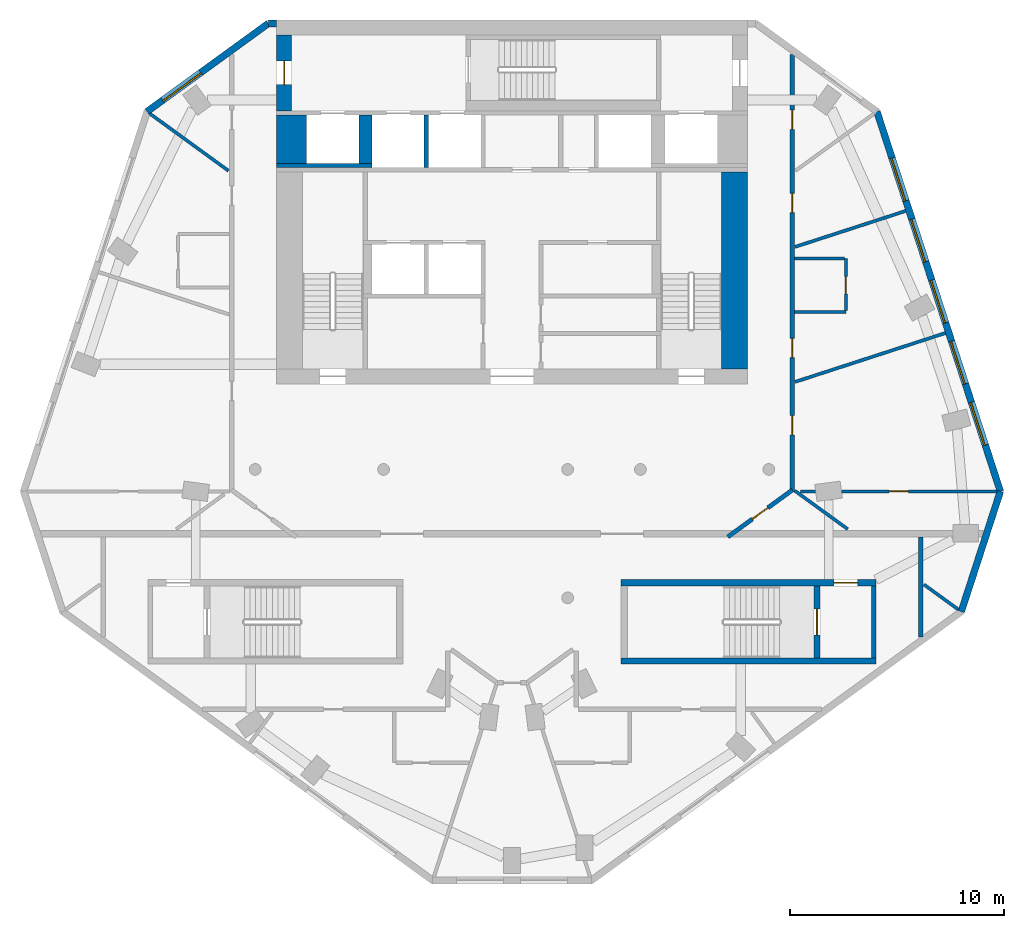
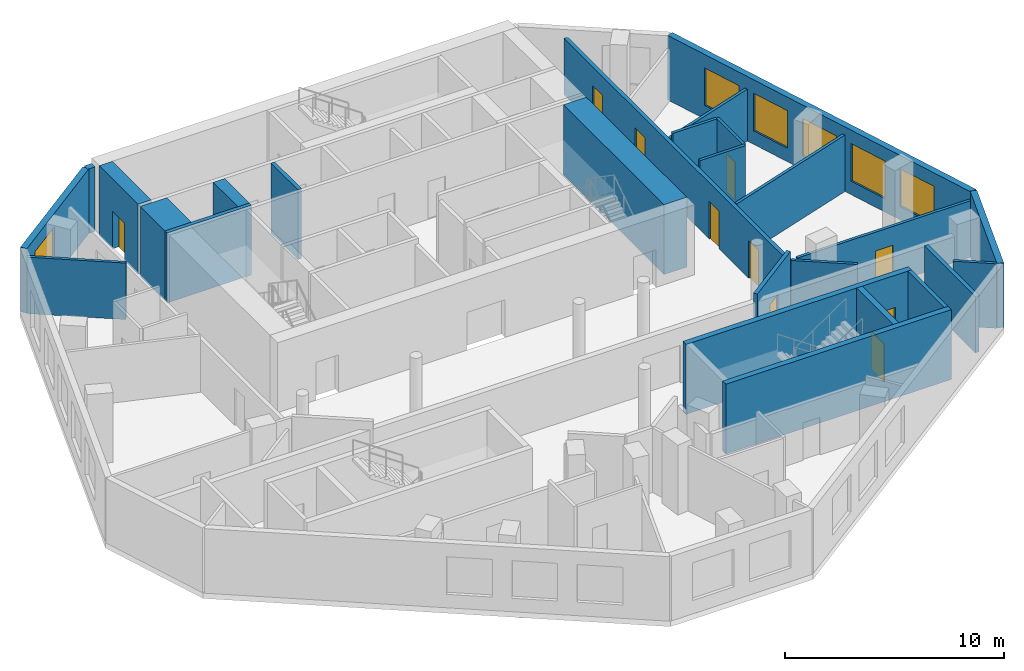
# One storey, part 4 of 8: 26 walls, 10 doors, 6 windows, 16 openings.
"""IFC4 building model written with IfcOpenShell, lengths in metres."""

from ifc_helpers import new_model, si_unit, direction, frame, frame_2d, origin, place, context, subcontext, project, spatial, rectangle, extrude, material, layer, layer_set, type_object, element, fill, save


model = new_model("IFC4")

# Units and contexts
model_context = context("Model", 3, precision=1e-05, world=origin(), true_north=direction((0.0, 1.0)))
body_context = subcontext(model_context, "Body", "Model", "MODEL_VIEW")
ifc_project = project(units=[si_unit("LENGTHUNIT", "METRE"), si_unit("AREAUNIT", "SQUARE_METRE"), si_unit("VOLUMEUNIT", "CUBIC_METRE"), si_unit("PLANEANGLEUNIT", "RADIAN"), si_unit("MASSUNIT", "GRAM", prefix="KILO")], contexts=[model_context])

# Site, building, storey
site_placement = place(None, origin())
site = spatial("IfcSite", under=ifc_project, at=site_placement, CompositionType="ELEMENT")
building_placement = place(site_placement, origin())
building = spatial("IfcBuilding", under=site, at=building_placement, Name="White Candle Pilgrim Tower", CompositionType="ELEMENT")
storey_placement = place(building_placement, frame((0.0, 0.0, 291.199951171875)))
storey = spatial("IfcBuildingStorey", under=building, at=storey_placement, Name="L69", CompositionType="ELEMENT", Elevation=291.199951171875)

# Walls
ifc_material_1 = material(Name="Concrete C50/60", Category="concrete")
ifc_layer_1 = layer(ifc_material_1, 1.39990234375)
ifc_layer_set_1 = layer_set([ifc_layer_1], Name="Core wall 1400 mm Concrete C50/60")
wall_type_1 = type_object("IfcWallType", Name="Core wall 1400 mm Concrete C50/60", PredefinedType="SHEAR", material=ifc_layer_set_1)
wall_1_placement = place(storey_placement, frame((59.699951171875, 81.300048828125, 0.0), z_axis=(0.0, 0.0, 1.0), x_axis=(0.0, 1.0, 0.0)))
element("IfcWall", 1, at=wall_1_placement, inside=storey, type_object=wall_type_1, Name="WL-L69-C39", PredefinedType="SHEAR", context=body_context, shape_type="SweptSolid", body=[
    extrude(rectangle(XDim=2.25, YDim=1.39990234375, at=frame_2d((1.125, 0.0))), origin(), (0.0, 0.0, 1.0), 3.900146484375),
])
ifc_layer_2 = layer(ifc_material_1, 0.199951171875)
ifc_layer_set_2 = layer_set([ifc_layer_2], Name="Core wall 200 mm Concrete C50/60")
wall_type_2 = type_object("IfcWallType", Name="Core wall 200 mm Concrete C50/60", PredefinedType="SHEAR", material=ifc_layer_set_2)
wall_2_placement = place(storey_placement, frame((86.89990234375, 58.199951171875, 0.0), z_axis=(0.0, 0.0, 1.0), x_axis=(0.0, 1.0, 0.0)))
element("IfcWall", 2, at=wall_2_placement, inside=storey, type_object=wall_type_2, Name="WL-L69-C08", PredefinedType="SHEAR", context=body_context, shape_type="SweptSolid", body=[
    extrude(rectangle(XDim=3.35009765625, YDim=0.199951171875, at=frame_2d((1.675048828125, 0.0))), origin(), (0.0, 0.0, 1.0), 3.900146484375),
])
wall_3_placement = place(storey_placement, frame((59.0, 81.199951171875, 0.0), z_axis=(0.0, 0.0, 1.0), x_axis=(1.0, 0.0, 0.0)))
element("IfcWall", 3, at=wall_3_placement, inside=storey, type_object=wall_type_2, Name="WL-L69-C33", PredefinedType="SHEAR", context=body_context, shape_type="SweptSolid", body=[
    extrude(rectangle(XDim=4.449951171875, YDim=0.199951171875, at=frame_2d((2.22509765625, 0.0))), origin(), (0.0, 0.0, 1.0), 3.900146484375),
])

# Wall, opening, door
ifc_layer_3 = layer(ifc_material_1, 0.699951171875)
ifc_layer_set_3 = layer_set([ifc_layer_3], Name="Core wall 700 mm Concrete C50/60")
wall_type_3 = type_object("IfcWallType", Name="Core wall 700 mm Concrete C50/60", PredefinedType="SHEAR", material=ifc_layer_set_3)
wall_4_placement = place(storey_placement, frame((59.35009765625, 83.75, 0.0), z_axis=(0.0, 0.0, 1.0), x_axis=(0.0, 1.0, 0.0)))
wall_4 = element("IfcWall", 4, at=wall_4_placement, inside=storey, type_object=wall_type_3, Name="WL-L69-C44", PredefinedType="SHEAR", context=body_context, shape_type="SweptSolid", body=[
    extrude(rectangle(XDim=3.550048828125, YDim=0.699951171875, at=frame_2d((1.77490234375, 0.0))), origin(), (0.0, 0.0, 1.0), 3.900146484375),
])
opening_1_placement = place(wall_4_placement, frame((1.22509765625, 0.0, 0.0)))
opening_1 = element("IfcOpeningElement", 5, at=opening_1_placement, cuts=wall_4, Name="Opening T21-008", PredefinedType="OPENING", context=body_context, shape_type="SweptSolid", body=[
    extrude(rectangle(XDim=1.10009765625, YDim=2.10009765625, at=frame_2d((0.550048828125, 1.050048828125))), frame((0.0, 0.35986328125, 0.0), z_axis=(0.0, -1.0, 0.0), x_axis=(1.0, 0.0, 0.0)), (0.0, 0.0, 1.0), 0.719970703125),
])
ifc_material_2 = material(Name="Steel door leaf", Category="steel")
door_type_1 = type_object("IfcDoorType", Name="Fire door 1100 x 2100 EI 60", OperationType="NOTDEFINED", PredefinedType="DOOR", material=ifc_material_2)
door_1_placement = place(opening_1_placement, origin())
door_1 = element("IfcDoor", 6, at=door_1_placement, inside=storey, type_object=door_type_1, Name="Door T21-008", OperationType="SINGLE_SWING_RIGHT", OverallHeight=2.10009765625, OverallWidth=1.10009765625, PredefinedType="DOOR", context=body_context, shape_type="SweptSolid", body=[
    extrude(rectangle(XDim=1.10009765625, YDim=2.10009765625, at=frame_2d((0.550048828125, 1.050048828125))), frame((0.0, 0.02490234375, 0.0), z_axis=(0.0, -1.0, 0.0), x_axis=(1.0, 0.0, 0.0)), (0.0, 0.0, 1.0), 0.050048828125),
])
fill(opening_1, door_1)

# Wall, openings, doors
ifc_material_3 = material(Name="Gypsum board on steel studs", Category="steel")
ifc_layer_4 = layer(ifc_material_3, 0.199951171875)
ifc_layer_set_4 = layer_set([ifc_layer_4], Name="Corridor wall 200 mm EI 45")
wall_type_4 = type_object("IfcWallType", Name="Corridor wall 200 mm EI 45", PredefinedType="PARTITIONING", material=ifc_layer_set_4)
wall_5_placement = place(storey_placement, frame((83.10009765625, 86.396240234375, 0.0), z_axis=(0.0, 0.0, 1.0), x_axis=(0.0, -1.0, 0.0)))
wall_5 = element("IfcWall", 7, at=wall_5_placement, inside=storey, type_object=wall_type_4, Name="WL-L69-P005", PredefinedType="PARTITIONING", context=body_context, shape_type="SweptSolid", body=[
    extrude(rectangle(XDim=20.416259765625, YDim=0.199951171875, at=frame_2d((10.2080078125, 0.0))), origin(), (0.0, 0.0, 1.0), 3.150146484375),
])
opening_2_placement = place(wall_5_placement, frame((2.6123046875, 0.0, 0.0)))
opening_2 = element("IfcOpeningElement", 8, at=opening_2_placement, cuts=wall_5, Name="Opening T21-113", PredefinedType="OPENING", context=body_context, shape_type="SweptSolid", body=[
    extrude(rectangle(XDim=0.89990234375, YDim=2.10009765625, at=frame_2d((0.449951171875, 1.050048828125))), frame((0.0, 0.10986328125, 0.0), z_axis=(0.0, -1.0, 0.0), x_axis=(1.0, 0.0, 0.0)), (0.0, 0.0, 1.0), 0.219970703125),
])
opening_3_placement = place(wall_5_placement, frame((6.49365234375, 0.0, 0.0)))
opening_3 = element("IfcOpeningElement", 9, at=opening_3_placement, cuts=wall_5, Name="Opening T21-114", PredefinedType="OPENING", context=body_context, shape_type="SweptSolid", body=[
    extrude(rectangle(XDim=0.89990234375, YDim=2.10009765625, at=frame_2d((0.449951171875, 1.050048828125))), frame((0.0, 0.10986328125, 0.0), z_axis=(0.0, -1.0, 0.0), x_axis=(1.0, 0.0, 0.0)), (0.0, 0.0, 1.0), 0.219970703125),
])
opening_4_placement = place(wall_5_placement, frame((13.270263671875, 0.0, 0.0)))
opening_4 = element("IfcOpeningElement", 10, at=opening_4_placement, cuts=wall_5, Name="Opening T21-115", PredefinedType="OPENING", context=body_context, shape_type="SweptSolid", body=[
    extrude(rectangle(XDim=0.89990234375, YDim=2.10009765625, at=frame_2d((0.449951171875, 1.050048828125))), frame((0.0, 0.10986328125, 0.0), z_axis=(0.0, -1.0, 0.0), x_axis=(1.0, 0.0, 0.0)), (0.0, 0.0, 1.0), 0.219970703125),
])
opening_5_placement = place(wall_5_placement, frame((16.877197265625, 0.0, 0.0)))
opening_5 = element("IfcOpeningElement", 11, at=opening_5_placement, cuts=wall_5, Name="Opening T21-116", PredefinedType="OPENING", context=body_context, shape_type="SweptSolid", body=[
    extrude(rectangle(XDim=0.89990234375, YDim=2.10009765625, at=frame_2d((0.449951171875, 1.050048828125))), frame((0.0, 0.10986328125, 0.0), z_axis=(0.0, -1.0, 0.0), x_axis=(1.0, 0.0, 0.0)), (0.0, 0.0, 1.0), 0.219970703125),
])
door_type_2 = type_object("IfcDoorType", Name="Fire door 900 x 2100 EI 30", OperationType="NOTDEFINED", PredefinedType="DOOR", material=ifc_material_2)
door_2_placement = place(opening_2_placement, origin())
door_2 = element("IfcDoor", 12, at=door_2_placement, inside=storey, type_object=door_type_2, Name="Door T21-113", OperationType="SINGLE_SWING_LEFT", OverallHeight=2.10009765625, OverallWidth=0.89990234375, PredefinedType="DOOR", context=body_context, shape_type="SweptSolid", body=[
    extrude(rectangle(XDim=0.89990234375, YDim=2.10009765625, at=frame_2d((0.449951171875, 1.050048828125))), frame((0.0, 0.02490234375, 0.0), z_axis=(0.0, -1.0, 0.0), x_axis=(1.0, 0.0, 0.0)), (0.0, 0.0, 1.0), 0.050048828125),
])
fill(opening_2, door_2)
door_3_placement = place(opening_3_placement, origin())
door_3 = element("IfcDoor", 13, at=door_3_placement, inside=storey, type_object=door_type_2, Name="Door T21-114", OperationType="SINGLE_SWING_RIGHT", OverallHeight=2.10009765625, OverallWidth=0.89990234375, PredefinedType="DOOR", context=body_context, shape_type="SweptSolid", body=[
    extrude(rectangle(XDim=0.89990234375, YDim=2.10009765625, at=frame_2d((0.449951171875, 1.050048828125))), frame((0.0, 0.02490234375, 0.0), z_axis=(0.0, -1.0, 0.0), x_axis=(1.0, 0.0, 0.0)), (0.0, 0.0, 1.0), 0.050048828125),
])
fill(opening_3, door_3)
door_4_placement = place(opening_4_placement, origin())
door_4 = element("IfcDoor", 14, at=door_4_placement, inside=storey, type_object=door_type_2, Name="Door T21-115", OperationType="SINGLE_SWING_LEFT", OverallHeight=2.10009765625, OverallWidth=0.89990234375, PredefinedType="DOOR", context=body_context, shape_type="SweptSolid", body=[
    extrude(rectangle(XDim=0.89990234375, YDim=2.10009765625, at=frame_2d((0.449951171875, 1.050048828125))), frame((0.0, 0.02490234375, 0.0), z_axis=(0.0, -1.0, 0.0), x_axis=(1.0, 0.0, 0.0)), (0.0, 0.0, 1.0), 0.050048828125),
])
fill(opening_4, door_4)
door_5_placement = place(opening_5_placement, origin())
door_5 = element("IfcDoor", 15, at=door_5_placement, inside=storey, type_object=door_type_2, Name="Door T21-116", OperationType="SINGLE_SWING_RIGHT", OverallHeight=2.10009765625, OverallWidth=0.89990234375, PredefinedType="DOOR", context=body_context, shape_type="SweptSolid", body=[
    extrude(rectangle(XDim=0.89990234375, YDim=2.10009765625, at=frame_2d((0.449951171875, 1.050048828125))), frame((0.0, 0.02490234375, 0.0), z_axis=(0.0, -1.0, 0.0), x_axis=(1.0, 0.0, 0.0)), (0.0, 0.0, 1.0), 0.050048828125),
])
fill(opening_5, door_5)

# Wall, opening, door
wall_6_placement = place(storey_placement, frame((83.10009765625, 66.041015625, 0.0), z_axis=(0.0, 0.0, 1.0), x_axis=(-0.809024883744, -0.587774393355, 0.0)))
wall_6 = element("IfcWall", 16, at=wall_6_placement, inside=storey, type_object=wall_type_4, Name="WL-L69-P006", PredefinedType="PARTITIONING", context=body_context, shape_type="SweptSolid", body=[
    extrude(rectangle(XDim=3.7275390625, YDim=0.199951171875, at=frame_2d((1.86376953125, 0.0))), origin(), (0.0, 0.0, 1.0), 3.60009765625),
])
opening_6_placement = place(wall_6_placement, frame((1.413818359375, 0.0, 0.0)))
opening_6 = element("IfcOpeningElement", 17, at=opening_6_placement, cuts=wall_6, Name="Opening T21-119", PredefinedType="OPENING", context=body_context, shape_type="SweptSolid", body=[
    extrude(rectangle(XDim=0.89990234375, YDim=2.10009765625, at=frame_2d((0.449951171875, 1.050048828125))), frame((0.0, 0.10986328125, 0.0), z_axis=(0.0, -1.0, 0.0), x_axis=(1.0, 0.0, 0.0)), (0.0, 0.0, 1.0), 0.219970703125),
])
door_6_placement = place(opening_6_placement, origin())
door_6 = element("IfcDoor", 18, at=door_6_placement, inside=storey, type_object=door_type_2, Name="Door T21-119", OperationType="SINGLE_SWING_LEFT", OverallHeight=2.10009765625, OverallWidth=0.89990234375, PredefinedType="DOOR", context=body_context, shape_type="SweptSolid", body=[
    extrude(rectangle(XDim=0.89990234375, YDim=2.10009765625, at=frame_2d((0.449951171875, 1.050048828125))), frame((0.0, 0.02490234375, 0.0), z_axis=(0.0, -1.0, 0.0), x_axis=(1.0, 0.0, 0.0)), (0.0, 0.0, 1.0), 0.050048828125),
])
fill(opening_6, door_6)

# Walls
wall_7_placement = place(storey_placement, frame((89.10009765625, 63.85009765625, 0.0), z_axis=(0.0, 0.0, 1.0), x_axis=(0.0, -1.0, 0.0)))
element("IfcWall", 19, at=wall_7_placement, inside=storey, type_object=wall_type_4, Name="WL-L69-P007", PredefinedType="PARTITIONING", context=body_context, shape_type="SweptSolid", body=[
    extrude(rectangle(XDim=4.67333984375, YDim=0.199951171875, at=frame_2d((2.336669921875, 0.0))), origin(), (0.0, 0.0, 1.0), 3.150146484375),
])
ifc_material_4 = material(Name="Precast concrete C40/50", Category="concrete")
ifc_layer_5 = layer(ifc_material_4, 0.320068359375)
ifc_layer_set_5 = layer_set([ifc_layer_5], Name="Facade wall EW1 precast concrete C40/50 pier wall with timber-lined reveals")
wall_type_5 = type_object("IfcWallType", Name="Facade wall EW1 precast concrete C40/50 pier wall with timber-lined reveals", PredefinedType="SOLIDWALL", material=ifc_layer_set_5)
wall_8_placement = place(storey_placement, frame((90.99365234375, 60.354736328125, 0.0), z_axis=(0.0, 0.0, 1.0), x_axis=(0.30899265151, 0.951064425427, 0.0)))
element("IfcWall", 20, at=wall_8_placement, inside=storey, type_object=wall_type_5, Name="Facade wall L69 E chamfer", PredefinedType="SOLIDWALL", context=body_context, shape_type="SweptSolid", body=[
    extrude(rectangle(XDim=5.9091796875, YDim=0.320068359375, at=frame_2d((2.95458984375, 0.0))), origin(), (0.0, 0.0, 1.0), 3.60009765625),
])

# Wall, openings, windows
wall_9_placement = place(storey_placement, frame((92.819580078125, 65.974853515625, 0.0), z_axis=(0.0, 0.0, 1.0), x_axis=(-0.3090200992, 0.951055507471, 0.0)))
wall_9 = element("IfcWall", 21, at=wall_9_placement, inside=storey, type_object=wall_type_5, Name="Facade wall L69 ENE", PredefinedType="SOLIDWALL", context=body_context, shape_type="SweptSolid", body=[
    extrude(rectangle(XDim=18.66015625, YDim=0.320068359375, at=frame_2d((9.330078125, 0.0))), origin(), (0.0, 0.0, 1.0), 3.60009765625),
])
opening_7_placement = place(wall_9_placement, frame((2.280029296875, 0.0, 0.75)))
opening_7 = element("IfcOpeningElement", 22, at=opening_7_placement, cuts=wall_9, Name="Opening W3", PredefinedType="OPENING", context=body_context, shape_type="SweptSolid", body=[
    extrude(rectangle(XDim=2.10009765625, YDim=2.10009765625, at=frame_2d((1.050048828125, 1.050048828125))), frame((0.0, 0.169921875, 0.0), z_axis=(0.0, -1.0, 0.0), x_axis=(1.0, 0.0, 0.0)), (0.0, 0.0, 1.0), 0.340087890625),
])
opening_8_placement = place(wall_9_placement, frame((5.280029296875, 0.0, 0.75)))
opening_8 = element("IfcOpeningElement", 23, at=opening_8_placement, cuts=wall_9, Name="Opening W3", PredefinedType="OPENING", context=body_context, shape_type="SweptSolid", body=[
    extrude(rectangle(XDim=2.10009765625, YDim=2.10009765625, at=frame_2d((1.050048828125, 1.050048828125))), frame((0.0, 0.169921875, 0.0), z_axis=(0.0, -1.0, 0.0), x_axis=(1.0, 0.0, 0.0)), (0.0, 0.0, 1.0), 0.340087890625),
])
opening_9_placement = place(wall_9_placement, frame((8.280029296875, 0.0, 0.75)))
opening_9 = element("IfcOpeningElement", 24, at=opening_9_placement, cuts=wall_9, Name="Opening W3", PredefinedType="OPENING", context=body_context, shape_type="SweptSolid", body=[
    extrude(rectangle(XDim=2.10009765625, YDim=2.10009765625, at=frame_2d((1.050048828125, 1.050048828125))), frame((0.0, 0.169921875, 0.0), z_axis=(0.0, -1.0, 0.0), x_axis=(1.0, 0.0, 0.0)), (0.0, 0.0, 1.0), 0.340087890625),
])
opening_10_placement = place(wall_9_placement, frame((11.280029296875, 0.0, 0.75)))
opening_10 = element("IfcOpeningElement", 25, at=opening_10_placement, cuts=wall_9, Name="Opening W3", PredefinedType="OPENING", context=body_context, shape_type="SweptSolid", body=[
    extrude(rectangle(XDim=2.10009765625, YDim=2.10009765625, at=frame_2d((1.050048828125, 1.050048828125))), frame((0.0, 0.169921875, 0.0), z_axis=(0.0, -1.0, 0.0), x_axis=(1.0, 0.0, 0.0)), (0.0, 0.0, 1.0), 0.340087890625),
])
opening_11_placement = place(wall_9_placement, frame((14.280029296875, 0.0, 0.75)))
opening_11 = element("IfcOpeningElement", 26, at=opening_11_placement, cuts=wall_9, Name="Opening W3", PredefinedType="OPENING", context=body_context, shape_type="SweptSolid", body=[
    extrude(rectangle(XDim=2.10009765625, YDim=2.10009765625, at=frame_2d((1.050048828125, 1.050048828125))), frame((0.0, 0.169921875, 0.0), z_axis=(0.0, -1.0, 0.0), x_axis=(1.0, 0.0, 0.0)), (0.0, 0.0, 1.0), 0.340087890625),
])
ifc_material_5 = material(Name="Timber frame with triple glazing", Category="wood")
window_type_1 = type_object("IfcWindowType", Name="Window W3 2100x2100 timber frame triple glazing", PartitioningType="SINGLE_PANEL", PredefinedType="WINDOW", material=ifc_material_5)
window_1_placement = place(opening_7_placement, origin())
window_1 = element("IfcWindow", 27, at=window_1_placement, inside=storey, type_object=window_type_1, Name="Window W3 L69 ENE 1", OverallHeight=2.10009765625, OverallWidth=2.10009765625, PartitioningType="SINGLE_PANEL", PredefinedType="WINDOW", context=body_context, shape_type="SweptSolid", body=[
    extrude(rectangle(XDim=2.10009765625, YDim=2.10009765625, at=frame_2d((1.050048828125, 1.050048828125))), frame((0.0, 0.070068359375, 0.0), z_axis=(0.0, -1.0, 0.0), x_axis=(1.0, 0.0, 0.0)), (0.0, 0.0, 1.0), 0.06005859375),
])
fill(opening_7, window_1)
window_2_placement = place(opening_8_placement, origin())
window_2 = element("IfcWindow", 28, at=window_2_placement, inside=storey, type_object=window_type_1, Name="Window W3 L69 ENE 2", OverallHeight=2.10009765625, OverallWidth=2.10009765625, PartitioningType="SINGLE_PANEL", PredefinedType="WINDOW", context=body_context, shape_type="SweptSolid", body=[
    extrude(rectangle(XDim=2.10009765625, YDim=2.10009765625, at=frame_2d((1.050048828125, 1.050048828125))), frame((0.0, 0.070068359375, 0.0), z_axis=(0.0, -1.0, 0.0), x_axis=(1.0, 0.0, 0.0)), (0.0, 0.0, 1.0), 0.06005859375),
])
fill(opening_8, window_2)
window_3_placement = place(opening_9_placement, origin())
window_3 = element("IfcWindow", 29, at=window_3_placement, inside=storey, type_object=window_type_1, Name="Window W3 L69 ENE 3", OverallHeight=2.10009765625, OverallWidth=2.10009765625, PartitioningType="SINGLE_PANEL", PredefinedType="WINDOW", context=body_context, shape_type="SweptSolid", body=[
    extrude(rectangle(XDim=2.10009765625, YDim=2.10009765625, at=frame_2d((1.050048828125, 1.050048828125))), frame((0.0, 0.070068359375, 0.0), z_axis=(0.0, -1.0, 0.0), x_axis=(1.0, 0.0, 0.0)), (0.0, 0.0, 1.0), 0.06005859375),
])
fill(opening_9, window_3)
window_4_placement = place(opening_10_placement, origin())
window_4 = element("IfcWindow", 30, at=window_4_placement, inside=storey, type_object=window_type_1, Name="Window W3 L69 ENE 4", OverallHeight=2.10009765625, OverallWidth=2.10009765625, PartitioningType="SINGLE_PANEL", PredefinedType="WINDOW", context=body_context, shape_type="SweptSolid", body=[
    extrude(rectangle(XDim=2.10009765625, YDim=2.10009765625, at=frame_2d((1.050048828125, 1.050048828125))), frame((0.0, 0.070068359375, 0.0), z_axis=(0.0, -1.0, 0.0), x_axis=(1.0, 0.0, 0.0)), (0.0, 0.0, 1.0), 0.06005859375),
])
fill(opening_10, window_4)
window_5_placement = place(opening_11_placement, origin())
window_5 = element("IfcWindow", 31, at=window_5_placement, inside=storey, type_object=window_type_1, Name="Window W3 L69 ENE 5", OverallHeight=2.10009765625, OverallWidth=2.10009765625, PartitioningType="SINGLE_PANEL", PredefinedType="WINDOW", context=body_context, shape_type="SweptSolid", body=[
    extrude(rectangle(XDim=2.10009765625, YDim=2.10009765625, at=frame_2d((1.050048828125, 1.050048828125))), frame((0.0, 0.070068359375, 0.0), z_axis=(0.0, -1.0, 0.0), x_axis=(1.0, 0.0, 0.0)), (0.0, 0.0, 1.0), 0.06005859375),
])
fill(opening_11, window_5)

# Wall
wall_10_placement = place(storey_placement, frame((59.0, 87.840087890625, 0.0), z_axis=(0.0, 0.0, 1.0), x_axis=(-1.0, 0.0, 0.0)))
element("IfcWall", 32, at=wall_10_placement, inside=storey, type_object=wall_type_5, Name="Facade wall L69 N", PredefinedType="SOLIDWALL", context=body_context, shape_type="SweptSolid", body=[
    extrude(rectangle(XDim=0.385009765625, YDim=0.320068359375, at=frame_2d((0.1923828125, 0.0))), origin(), (0.0, 0.0, 1.0), 3.60009765625),
])

# Wall, opening, window
wall_11_placement = place(storey_placement, frame((58.614990234375, 87.840087890625, 0.0), z_axis=(0.0, 0.0, 1.0), x_axis=(-0.809002708762, -0.587804914249, 0.0)))
wall_11 = element("IfcWall", 33, at=wall_11_placement, inside=storey, type_object=wall_type_5, Name="Facade wall L69 NW chamfer", PredefinedType="SOLIDWALL", context=body_context, shape_type="SweptSolid", body=[
    extrude(rectangle(XDim=7.00634765625, YDim=0.320068359375, at=frame_2d((3.503173828125, 0.0))), origin(), (0.0, 0.0, 1.0), 3.60009765625),
])
opening_12_placement = place(wall_11_placement, frame((3.9033203125, 0.0, 0.75)))
opening_12 = element("IfcOpeningElement", 34, at=opening_12_placement, cuts=wall_11, Name="Opening W4", PredefinedType="OPENING", context=body_context, shape_type="SweptSolid", body=[
    extrude(rectangle(XDim=2.199951171875, YDim=2.10009765625, at=frame_2d((1.10009765625, 1.050048828125))), frame((0.0, 0.169921875, 0.0), z_axis=(0.0, -1.0, 0.0), x_axis=(1.0, 0.0, 0.0)), (0.0, 0.0, 1.0), 0.340087890625),
])
window_type_2 = type_object("IfcWindowType", Name="Window W4 2200x2100 timber frame triple glazing", PartitioningType="SINGLE_PANEL", PredefinedType="WINDOW", material=ifc_material_5)
window_6_placement = place(opening_12_placement, origin())
window_6 = element("IfcWindow", 35, at=window_6_placement, inside=storey, type_object=window_type_2, Name="Window W4 L69 NW chamfer 2", OverallHeight=2.10009765625, OverallWidth=2.199951171875, PartitioningType="SINGLE_PANEL", PredefinedType="WINDOW", context=body_context, shape_type="SweptSolid", body=[
    extrude(rectangle(XDim=2.199951171875, YDim=2.10009765625, at=frame_2d((1.10009765625, 1.050048828125))), frame((0.0, 0.070068359375, 0.0), z_axis=(0.0, -1.0, 0.0), x_axis=(1.0, 0.0, 0.0)), (0.0, 0.0, 1.0), 0.06005859375),
])
fill(opening_12, window_6)

# Walls
ifc_layer_6 = layer(ifc_material_3, 0.14990234375)
ifc_layer_set_6 = layer_set([ifc_layer_6], Name="Partition 150 mm EI 60")
wall_type_6 = type_object("IfcWallType", Name="Partition 150 mm EI 60", PredefinedType="PARTITIONING", material=ifc_layer_set_6)
wall_12_placement = place(storey_placement, frame((53.082763671875, 83.622802734375, 0.0), z_axis=(0.0, 0.0, 1.0), x_axis=(0.809012707043, -0.587791153253, 0.0)))
element("IfcWall", 36, at=wall_12_placement, inside=storey, type_object=wall_type_6, Name="WL-L69-P015", PredefinedType="PARTITIONING", context=body_context, shape_type="SweptSolid", body=[
    extrude(rectangle(XDim=4.540283203125, YDim=0.14990234375, at=frame_2d((2.27001953125, 0.0))), origin(), (0.0, 0.0, 1.0), 3.150146484375),
])
wall_13_placement = place(storey_placement, frame((90.857421875, 60.45361328125, 0.0), z_axis=(0.0, 0.0, 1.0), x_axis=(-0.809016588302, 0.587785811204, 0.0)))
element("IfcWall", 37, at=wall_13_placement, inside=storey, type_object=wall_type_6, Name="WL-L69-P021", PredefinedType="PARTITIONING", context=body_context, shape_type="SweptSolid", body=[
    extrude(rectangle(XDim=1.994140625, YDim=0.14990234375, at=frame_2d((0.9970703125, 0.0))), origin(), (0.0, 0.0, 1.0), 3.60009765625),
])
wall_14_placement = place(storey_placement, frame((85.686279296875, 64.210693359375, 0.0), z_axis=(0.0, 0.0, 1.0), x_axis=(-0.809019714883, 0.587781507816, 0.0)))
element("IfcWall", 38, at=wall_14_placement, inside=storey, type_object=wall_type_6, Name="WL-L69-P022", PredefinedType="PARTITIONING", context=body_context, shape_type="SweptSolid", body=[
    extrude(rectangle(XDim=3.05126953125, YDim=0.14990234375, at=frame_2d((1.525634765625, 0.0))), origin(), (0.0, 0.0, 1.0), 3.10009765625),
])

# Wall, opening, door
wall_15_placement = place(storey_placement, frame((92.6513671875, 65.974853515625, 0.0), z_axis=(0.0, 0.0, 1.0), x_axis=(-1.0, 0.0, 0.0)))
wall_15 = element("IfcWall", 39, at=wall_15_placement, inside=storey, type_object=wall_type_6, Name="WL-L69-P023", PredefinedType="PARTITIONING", context=body_context, shape_type="SweptSolid", body=[
    extrude(rectangle(XDim=9.162353515625, YDim=0.14990234375, at=frame_2d((4.5810546875, 0.0))), origin(), (0.0, 0.0, 1.0), 3.150146484375),
])
opening_13_placement = place(wall_15_placement, frame((4.131103515625, 0.0, 0.0)))
opening_13 = element("IfcOpeningElement", 40, at=opening_13_placement, cuts=wall_15, Name="Opening T21-117", PredefinedType="OPENING", context=body_context, shape_type="SweptSolid", body=[
    extrude(rectangle(XDim=0.89990234375, YDim=2.10009765625, at=frame_2d((0.449951171875, 1.050048828125))), frame((0.0, 0.0849609375, 0.0), z_axis=(0.0, -1.0, 0.0), x_axis=(1.0, 0.0, 0.0)), (0.0, 0.0, 1.0), 0.169921875),
])
door_7_placement = place(opening_13_placement, origin())
door_7 = element("IfcDoor", 41, at=door_7_placement, inside=storey, type_object=door_type_2, Name="Door T21-117", OperationType="SINGLE_SWING_LEFT", OverallHeight=2.10009765625, OverallWidth=0.89990234375, PredefinedType="DOOR", context=body_context, shape_type="SweptSolid", body=[
    extrude(rectangle(XDim=0.89990234375, YDim=2.10009765625, at=frame_2d((0.449951171875, 1.050048828125))), frame((0.0, 0.02490234375, 0.0), z_axis=(0.0, -1.0, 0.0), x_axis=(1.0, 0.0, 0.0)), (0.0, 0.0, 1.0), 0.050048828125),
])
fill(opening_13, door_7)

# Walls
wall_16_placement = place(storey_placement, frame((90.247802734375, 73.372314453125, 0.0), z_axis=(0.0, 0.0, 1.0), x_axis=(-0.951055684943, -0.309019553002, 0.0)))
element("IfcWall", 42, at=wall_16_placement, inside=storey, type_object=wall_type_6, Name="WL-L69-P035", PredefinedType="PARTITIONING", context=body_context, shape_type="SweptSolid", body=[
    extrude(rectangle(XDim=7.38623046875, YDim=0.14990234375, at=frame_2d((3.693115234375, 0.0))), origin(), (0.0, 0.0, 1.0), 3.150146484375),
])
wall_17_placement = place(storey_placement, frame((88.393798828125, 79.07861328125, 0.0), z_axis=(0.0, 0.0, 1.0), x_axis=(-0.951062774979, -0.308997731462, 0.0)))
element("IfcWall", 43, at=wall_17_placement, inside=storey, type_object=wall_type_6, Name="WL-L69-P036", PredefinedType="PARTITIONING", context=body_context, shape_type="SweptSolid", body=[
    extrude(rectangle(XDim=5.436767578125, YDim=0.14990234375, at=frame_2d((2.71826171875, 0.0))), origin(), (0.0, 0.0, 1.0), 2.900146484375),
])
wall_18_placement = place(storey_placement, frame((83.199951171875, 74.358642578125, 0.0), z_axis=(0.0, 0.0, 1.0), x_axis=(1.0, 0.0, 0.0)))
element("IfcWall", 44, at=wall_18_placement, inside=storey, type_object=wall_type_6, Name="WL-L69-P037", PredefinedType="PARTITIONING", context=body_context, shape_type="SweptSolid", body=[
    extrude(rectangle(XDim=2.400146484375, YDim=0.14990234375, at=frame_2d((1.2001953125, 0.0))), origin(), (0.0, 0.0, 1.0), 3.60009765625),
])

# Wall, opening, door
wall_19_placement = place(storey_placement, frame((85.60009765625, 76.858642578125, 0.0), z_axis=(0.0, 0.0, 1.0), x_axis=(0.0, -1.0, 0.0)))
wall_19 = element("IfcWall", 45, at=wall_19_placement, inside=storey, type_object=wall_type_6, Name="WL-L69-P038", PredefinedType="PARTITIONING", context=body_context, shape_type="SweptSolid", body=[
    extrude(rectangle(XDim=2.425048828125, YDim=0.14990234375, at=frame_2d((1.21240234375, 0.0))), origin(), (0.0, 0.0, 1.0), 3.60009765625),
])
opening_14_placement = place(wall_19_placement, frame((0.85009765625, 0.0, 0.0)))
opening_14 = element("IfcOpeningElement", 46, at=opening_14_placement, cuts=wall_19, Name="Opening T21-107", PredefinedType="OPENING", context=body_context, shape_type="SweptSolid", body=[
    extrude(rectangle(XDim=0.800048828125, YDim=2.10009765625, at=frame_2d((0.39990234375, 1.050048828125))), frame((0.0, 0.0849609375, 0.0), z_axis=(0.0, -1.0, 0.0), x_axis=(1.0, 0.0, 0.0)), (0.0, 0.0, 1.0), 0.169921875),
])
door_type_3 = type_object("IfcDoorType", Name="Fire door 800 x 2100 EI 30", OperationType="NOTDEFINED", PredefinedType="DOOR", material=ifc_material_2)
door_8_placement = place(opening_14_placement, origin())
door_8 = element("IfcDoor", 47, at=door_8_placement, inside=storey, type_object=door_type_3, Name="Door T21-107", OperationType="SINGLE_SWING_LEFT", OverallHeight=2.10009765625, OverallWidth=0.800048828125, PredefinedType="DOOR", context=body_context, shape_type="SweptSolid", body=[
    extrude(rectangle(XDim=0.800048828125, YDim=2.10009765625, at=frame_2d((0.39990234375, 1.050048828125))), frame((0.0, 0.02490234375, 0.0), z_axis=(0.0, -1.0, 0.0), x_axis=(1.0, 0.0, 0.0)), (0.0, 0.0, 1.0), 0.050048828125),
])
fill(opening_14, door_8)

# Walls
wall_20_placement = place(storey_placement, frame((83.199951171875, 76.858642578125, 0.0), z_axis=(0.0, 0.0, 1.0), x_axis=(1.0, 0.0, 0.0)))
element("IfcWall", 48, at=wall_20_placement, inside=storey, type_object=wall_type_6, Name="WL-L69-P039", PredefinedType="PARTITIONING", context=body_context, shape_type="SweptSolid", body=[
    extrude(rectangle(XDim=2.324951171875, YDim=0.14990234375, at=frame_2d((1.16259765625, 0.0))), origin(), (0.0, 0.0, 1.0), 3.60009765625),
])
ifc_layer_7 = layer(ifc_material_1, 0.199951171875)
ifc_layer_set_7 = layer_set([ifc_layer_7], Name="Shaft wall 200 mm Concrete C50/60")
wall_type_7 = type_object("IfcWallType", Name="Shaft wall 200 mm Concrete C50/60", PredefinedType="SHEAR", material=ifc_layer_set_7)
wall_21_placement = place(storey_placement, frame((66.0, 81.10009765625, 0.0), z_axis=(0.0, 0.0, 1.0), x_axis=(0.0, 1.0, 0.0)))
element("IfcWall", 49, at=wall_21_placement, inside=storey, type_object=wall_type_7, Name="WL-L69-C34", PredefinedType="SHEAR", context=body_context, shape_type="SweptSolid", body=[
    extrude(rectangle(XDim=2.449951171875, YDim=0.199951171875, at=frame_2d((1.22509765625, 0.0))), origin(), (0.0, 0.0, 1.0), 3.900146484375),
])
ifc_layer_8 = layer(ifc_material_1, 0.60009765625)
ifc_layer_set_8 = layer_set([ifc_layer_8], Name="Shaft wall 600 mm Concrete C50/60")
wall_type_8 = type_object("IfcWallType", Name="Shaft wall 600 mm Concrete C50/60", PredefinedType="SHEAR", material=ifc_layer_set_8)
wall_22_placement = place(storey_placement, frame((63.14990234375, 81.300048828125, 0.0), z_axis=(0.0, 0.0, 1.0), x_axis=(0.0, 1.0, 0.0)))
element("IfcWall", 50, at=wall_22_placement, inside=storey, type_object=wall_type_8, Name="WL-L69-C40", PredefinedType="SHEAR", context=body_context, shape_type="SweptSolid", body=[
    extrude(rectangle(XDim=2.25, YDim=0.60009765625, at=frame_2d((1.125, 0.0))), origin(), (0.0, 0.0, 1.0), 3.900146484375),
])
ifc_layer_9 = layer(ifc_material_1, 1.199951171875)
ifc_layer_set_9 = layer_set([ifc_layer_9], Name="Stair shaft wall 1200 mm Concrete C50/60")
wall_type_9 = type_object("IfcWallType", Name="Stair shaft wall 1200 mm Concrete C50/60", PredefinedType="SHEAR", material=ifc_layer_set_9)
wall_23_placement = place(storey_placement, frame((80.39990234375, 71.699951171875, 0.0), z_axis=(0.0, 0.0, 1.0), x_axis=(0.0, 1.0, 0.0)))
element("IfcWall", 51, at=wall_23_placement, inside=storey, type_object=wall_type_9, Name="WL-L69-C17", PredefinedType="SHEAR", context=body_context, shape_type="SweptSolid", body=[
    extrude(rectangle(XDim=9.199951171875, YDim=1.199951171875, at=frame_2d((4.60009765625, 0.0))), origin(), (0.0, 0.0, 1.0), 3.900146484375),
])
ifc_layer_10 = layer(ifc_material_1, 0.300048828125)
ifc_layer_set_10 = layer_set([ifc_layer_10], Name="Stair shaft wall 300 mm Concrete C50/60")
wall_type_10 = type_object("IfcWallType", Name="Stair shaft wall 300 mm Concrete C50/60", PredefinedType="SHEAR", material=ifc_layer_set_10)
wall_24_placement = place(storey_placement, frame((75.10009765625, 58.050048828125, 0.0), z_axis=(0.0, 0.0, 1.0), x_axis=(1.0, 0.0, 0.0)))
element("IfcWall", 52, at=wall_24_placement, inside=storey, type_object=wall_type_10, Name="WL-L69-C02", PredefinedType="SHEAR", context=body_context, shape_type="SweptSolid", body=[
    extrude(rectangle(XDim=11.89990234375, YDim=0.300048828125, at=frame_2d((5.949951171875, 0.0))), origin(), (0.0, 0.0, 1.0), 3.900146484375),
])

# Wall, opening, door
wall_25_placement = place(storey_placement, frame((84.25, 58.199951171875, 0.0), z_axis=(0.0, 0.0, 1.0), x_axis=(0.0, 1.0, 0.0)))
wall_25 = element("IfcWall", 53, at=wall_25_placement, inside=storey, type_object=wall_type_10, Name="WL-L69-C07", PredefinedType="SHEAR", context=body_context, shape_type="SweptSolid", body=[
    extrude(rectangle(XDim=3.35009765625, YDim=0.300048828125, at=frame_2d((1.675048828125, 0.0))), origin(), (0.0, 0.0, 1.0), 3.900146484375),
])
opening_15_placement = place(wall_25_placement, frame((1.074951171875, 0.0, 0.0)))
opening_15 = element("IfcOpeningElement", 54, at=opening_15_placement, cuts=wall_25, Name="Opening T21-013", PredefinedType="OPENING", context=body_context, shape_type="SweptSolid", body=[
    extrude(rectangle(XDim=1.199951171875, YDim=2.10009765625, at=frame_2d((0.60009765625, 1.050048828125))), frame((0.0, 0.159912109375, 0.0), z_axis=(0.0, -1.0, 0.0), x_axis=(1.0, 0.0, 0.0)), (0.0, 0.0, 1.0), 0.320068359375),
])
door_type_4 = type_object("IfcDoorType", Name="Fire door 1200 x 2100 EI 60", OperationType="NOTDEFINED", PredefinedType="DOOR", material=ifc_material_2)
door_9_placement = place(opening_15_placement, origin())
door_9 = element("IfcDoor", 55, at=door_9_placement, inside=storey, type_object=door_type_4, Name="Door T21-013", OperationType="SINGLE_SWING_LEFT", OverallHeight=2.10009765625, OverallWidth=1.199951171875, PredefinedType="DOOR", context=body_context, shape_type="SweptSolid", body=[
    extrude(rectangle(XDim=1.199951171875, YDim=2.10009765625, at=frame_2d((0.60009765625, 1.050048828125))), frame((0.0, 0.02490234375, 0.0), z_axis=(0.0, -1.0, 0.0), x_axis=(1.0, 0.0, 0.0)), (0.0, 0.0, 1.0), 0.050048828125),
])
fill(opening_15, door_9)

wall_26_placement = place(storey_placement, frame((75.10009765625, 61.699951171875, 0.0), z_axis=(0.0, 0.0, 1.0), x_axis=(1.0, 0.0, 0.0)))
wall_26 = element("IfcWall", 56, at=wall_26_placement, inside=storey, type_object=wall_type_10, Name="WL-L69-C10", PredefinedType="SHEAR", context=body_context, shape_type="SweptSolid", body=[
    extrude(rectangle(XDim=11.89990234375, YDim=0.300048828125, at=frame_2d((5.949951171875, 0.0))), origin(), (0.0, 0.0, 1.0), 3.900146484375),
])
opening_16_placement = place(wall_26_placement, frame((9.949951171875, 0.0, 0.0)))
opening_16 = element("IfcOpeningElement", 57, at=opening_16_placement, cuts=wall_26, Name="Opening T21-012", PredefinedType="OPENING", context=body_context, shape_type="SweptSolid", body=[
    extrude(rectangle(XDim=1.10009765625, YDim=2.10009765625, at=frame_2d((0.550048828125, 1.050048828125))), frame((0.0, 0.159912109375, 0.0), z_axis=(0.0, -1.0, 0.0), x_axis=(1.0, 0.0, 0.0)), (0.0, 0.0, 1.0), 0.320068359375),
])
door_10_placement = place(opening_16_placement, frame((1.10009765625, 0.0, 0.0), z_axis=(0.0, 0.0, 1.0), x_axis=(-1.0, 0.0, 0.0)))
door_10 = element("IfcDoor", 58, at=door_10_placement, inside=storey, type_object=door_type_1, Name="Door T21-012", OperationType="SINGLE_SWING_LEFT", OverallHeight=2.10009765625, OverallWidth=1.10009765625, PredefinedType="DOOR", context=body_context, shape_type="SweptSolid", body=[
    extrude(rectangle(XDim=1.10009765625, YDim=2.10009765625, at=frame_2d((0.550048828125, 1.050048828125))), frame((0.0, 0.02490234375, 0.0), z_axis=(0.0, -1.0, 0.0), x_axis=(1.0, 0.0, 0.0)), (0.0, 0.0, 1.0), 0.050048828125),
])
fill(opening_16, door_10)

save(model, "model.ifc")
